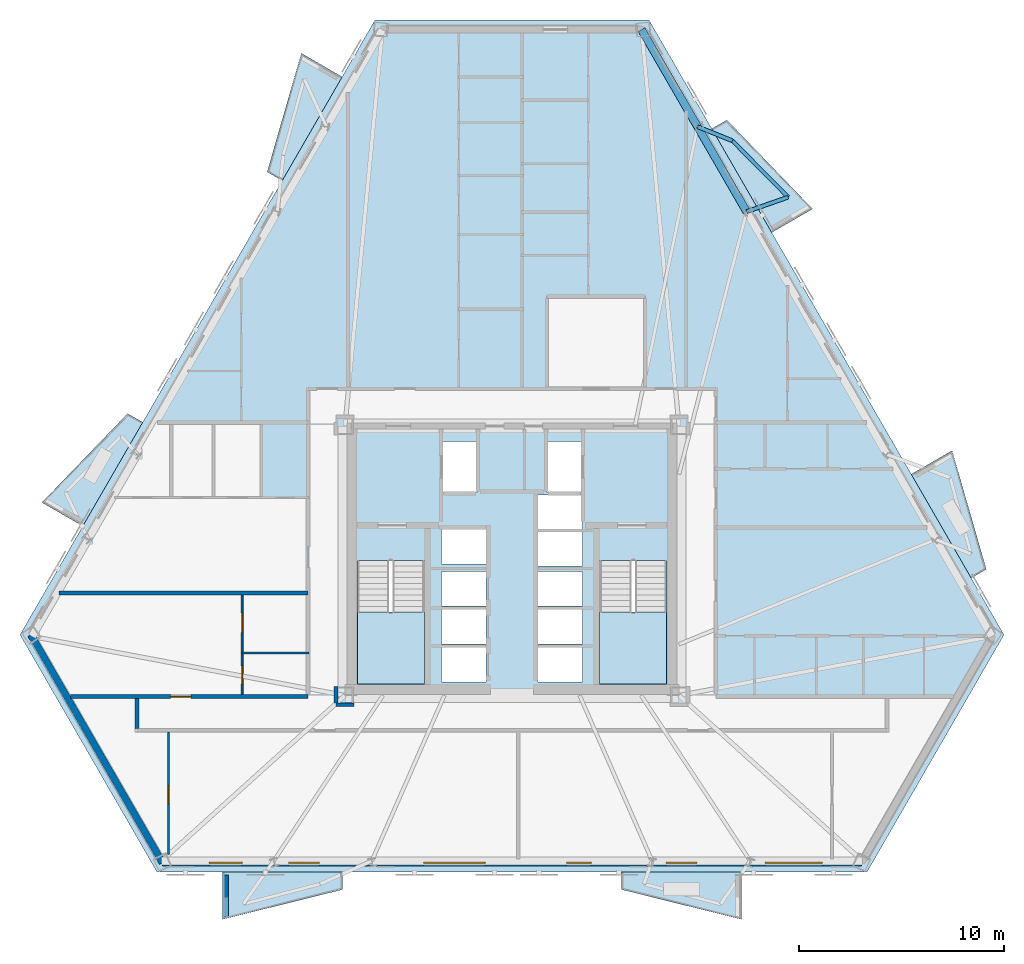
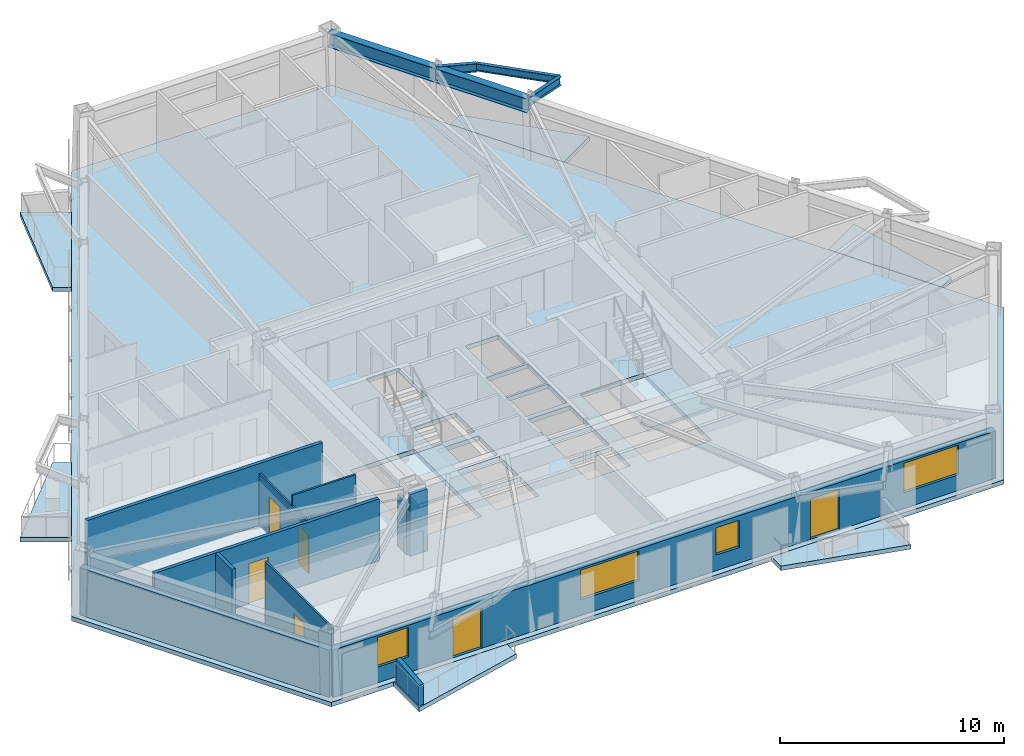
# One storey, part 2 of 11: 11 walls, 9 slabs, 6 doors, 5 beams, 4 windows, 10 openings, 2 elements without a shape of their own.
"""IFC4 building model written with IfcOpenShell, lengths in metres."""

from ifc_helpers import new_model, si_unit, direction, frame, frame_2d, origin, origin_2d, place, context, subcontext, project, spatial, polyline, rectangle, i_section, outline, extrude, material, layer, layer_set, material_profile, profile_set, type_object, element, fill, aggregate, save


model = new_model("IFC4")

# Units and contexts
model_context = context("Model", 3, precision=1e-05, world=origin(), true_north=direction((0.0, 1.0)))
body_context = subcontext(model_context, "Body", "Model", "MODEL_VIEW")
ifc_project = project(units=[si_unit("LENGTHUNIT", "METRE"), si_unit("AREAUNIT", "SQUARE_METRE"), si_unit("VOLUMEUNIT", "CUBIC_METRE"), si_unit("PLANEANGLEUNIT", "RADIAN"), si_unit("MASSUNIT", "GRAM", prefix="KILO")], contexts=[model_context])

# Site, building, storey
site_placement = place(None, origin())
site = spatial("IfcSite", under=ifc_project, at=site_placement, CompositionType="ELEMENT")
building_placement = place(site_placement, origin())
building = spatial("IfcBuilding", under=site, at=building_placement, Name="Oramaril Tower", CompositionType="ELEMENT")
storey_placement = place(building_placement, frame((0.0, 0.0, 82.5)))
storey = spatial("IfcBuildingStorey", under=building, at=storey_placement, Name="L21", CompositionType="ELEMENT", Elevation=82.5)

# Beams
ifc_material_1 = material(Name="Steel ASTM A572 Gr 50", Category="steel")
ifc_material_profile_1 = material_profile(ifc_material_1, i_section(OverallWidth=0.19091796875, OverallDepth=0.45703125, WebThickness=0.009033203125, FlangeThickness=0.014404296875, at=origin_2d()), Name="W18X50")
ifc_profile_set_1 = profile_set([ifc_material_profile_1], Name="Steel ASTM A572 Gr 50")
beam_type_1 = type_object("IfcBeamType", Name="BT-BB1", PredefinedType="BEAM", material=ifc_profile_set_1)
beam_1_placement = place(storey_placement, frame((48.9501953125, 34.607177734375, 3.131591796875), z_axis=(0.943890288042, 0.330259177224, 0.0), x_axis=(-0.330259177224, 0.943890288042, 0.0)))
element("IfcBeam", 1, at=beam_1_placement, inside=storey, type_object=beam_type_1, Name="L21 Balcony Column-Framed Cantilever 04.1", PredefinedType="BEAM", context=body_context, shape_type="SweptSolid", body=[
    extrude(i_section(OverallWidth=0.19091796875, OverallDepth=0.45703125, WebThickness=0.009033203125, FlangeThickness=0.014404296875, at=origin_2d()), origin(), (0.0, 0.0, 1.0), 2.145263671875),
])
beam_2_placement = place(storey_placement, frame((46.556640625, 38.752685546875, 3.131591796875), z_axis=(0.927442964174, -0.373964634965, 0.0), x_axis=(0.373964634965, 0.927442964174, 0.0)))
element("IfcBeam", 2, at=beam_2_placement, inside=storey, type_object=beam_type_1, Name="L21 Balcony Column-Framed Cantilever 04.2", PredefinedType="BEAM", context=body_context, shape_type="SweptSolid", body=[
    extrude(i_section(OverallWidth=0.19091796875, OverallDepth=0.45703125, WebThickness=0.009033203125, FlangeThickness=0.014404296875, at=origin_2d()), origin(), (0.0, 0.0, 1.0), 1.83056640625),
])
ifc_material_2 = material(Name="Steel ASTM A572 Gr 50", Category="steel")
ifc_material_profile_2 = material_profile(ifc_material_2, i_section(OverallWidth=0.177978515625, OverallDepth=0.404052734375, WebThickness=0.007568359375, FlangeThickness=0.010986328125, at=origin_2d()), Name="W16X36")
ifc_profile_set_2 = profile_set([ifc_material_profile_2], Name="Steel ASTM A572 Gr 50")
beam_type_2 = type_object("IfcBeamType", Name="BT-SB1", PredefinedType="BEAM", material=ifc_profile_set_2)
beam_3_placement = place(storey_placement, frame((50.97509765625, 35.315673828125, 3.157958984375), z_axis=(-0.702994511648, 0.71119527318, 0.0), x_axis=(-0.71119527318, -0.702994511648, 0.0)))
element("IfcBeam", 3, at=beam_3_placement, inside=storey, type_object=beam_type_2, Name="L21 Balcony Edge Tie Beam 04", PredefinedType="BEAM", context=body_context, shape_type="SweptSolid", body=[
    extrude(i_section(OverallWidth=0.177978515625, OverallDepth=0.404052734375, WebThickness=0.007568359375, FlangeThickness=0.010986328125, at=origin_2d()), origin(), (0.0, 0.0, 1.0), 3.8701171875),
])
ifc_material_3 = material(Name="Steel ASTM A572 Gr 50", Category="steel")
ifc_material_profile_3 = material_profile(ifc_material_3, i_section(OverallWidth=0.381103515625, OverallDepth=0.77197265625, WebThickness=0.0166015625, FlangeThickness=0.027099609375, at=origin_2d()), Name="W30X173")
ifc_profile_set_3 = profile_set([ifc_material_profile_3], Name="Steel ASTM A572 Gr 50")
beam_type_3 = type_object("IfcBeamType", Name="BT-SP2", PredefinedType="SPANDREL", material=ifc_profile_set_3)
beam_4_placement = place(storey_placement, frame((48.9501953125, 34.607177734375, 2.97412109375), z_axis=(-0.50002266109, 0.866012320003, 0.0), x_axis=(-0.866012320003, -0.50002266109, 0.0)))
element("IfcBeam", 4, at=beam_4_placement, inside=storey, type_object=beam_type_3, Name="L21 Perimeter Spandrel 11", PredefinedType="SPANDREL", context=body_context, shape_type="SweptSolid", body=[
    extrude(i_section(OverallWidth=0.381103515625, OverallDepth=0.77197265625, WebThickness=0.0166015625, FlangeThickness=0.027099609375, at=origin_2d()), origin(), (0.0, 0.0, 1.0), 4.786865234375),
])
beam_5_placement = place(storey_placement, frame((46.556640625, 38.752685546875, 2.97412109375), z_axis=(-0.499998014425, 0.866026550154, 0.0), x_axis=(-0.866026550154, -0.499998014425, 0.0)))
element("IfcBeam", 5, at=beam_5_placement, inside=storey, type_object=beam_type_3, Name="L21 Perimeter Spandrel 12", PredefinedType="SPANDREL", context=body_context, shape_type="SweptSolid", body=[
    extrude(i_section(OverallWidth=0.381103515625, OverallDepth=0.77197265625, WebThickness=0.0166015625, FlangeThickness=0.027099609375, at=origin_2d()), origin(), (0.0, 0.0, 1.0), 5.470703125),
])

# Slabs
ifc_material_4 = material(Name="Concrete C40/50", Category="concrete")
ifc_layer_1 = layer(ifc_material_4, 0.199951171875)
ifc_layer_set_1 = layer_set([ifc_layer_1], Name="SLT-BAL20")
slab_type_1 = type_object("IfcSlabType", Name="SLT-BAL20", PredefinedType="FLOOR", material=ifc_layer_set_1)
slab_1_placement = place(storey_placement, frame((0.0, 0.0, -0.239990234375)))
element("IfcSlab", 6, at=slab_1_placement, inside=storey, type_object=slab_type_1, Name="L21 Cantilevered Balcony Slab L21-BAL-S1", PredefinedType="FLOOR", context=body_context, shape_type="SweptSolid", body=[
    extrude(outline(polyline([(23.380126953125, 2.381103515625), (29.230224609375, 2.381103515625), (29.230224609375, 1.529296875), (23.380126953125, 0.0791015625), (23.380126953125, 2.381103515625)])), origin(), (0.0, 0.0, 1.0), 0.239990234375),
])
slab_2_placement = place(storey_placement, frame((0.0, 0.0, -0.239990234375)))
element("IfcSlab", 7, at=slab_2_placement, inside=storey, type_object=slab_type_1, Name="L21 Cantilevered Balcony Slab L21-BAL-NE2", PredefinedType="FLOOR", context=body_context, shape_type="SweptSolid", body=[
    extrude(outline(polyline([(50.172607421875, 33.588134765625), (47.24755859375, 38.654296875), (47.9853515625, 39.080322265625), (52.166015625, 34.739013671875), (50.172607421875, 33.588134765625)])), origin(), (0.0, 0.0, 1.0), 0.239990234375),
])
slab_3_placement = place(storey_placement, frame((0.0, 0.0, -0.239990234375)))
element("IfcSlab", 8, at=slab_3_placement, inside=storey, type_object=slab_type_1, Name="L21 Cantilevered Balcony Slab L21-BAL-NW1", PredefinedType="FLOOR", context=body_context, shape_type="SweptSolid", body=[
    extrude(outline(polyline([(29.215087890625, 41.1875), (26.2900390625, 36.12109375), (25.55224609375, 36.547119140625), (27.221435546875, 42.33837890625), (29.215087890625, 41.1875)])), origin(), (0.0, 0.0, 1.0), 0.239990234375),
])
ifc_material_5 = material(Name="Concrete C50/60", Category="concrete")
ifc_layer_2 = layer(ifc_material_5, 0.239990234375)
ifc_layer_set_2 = layer_set([ifc_layer_2], Name="SLT-FLR24")
slab_type_2 = type_object("IfcSlabType", Name="SLT-FLR24", PredefinedType="FLOOR", material=ifc_layer_set_2)
slab_4_placement = place(storey_placement, frame((0.0, 0.0, -0.239990234375)))
element("IfcSlab", 9, at=slab_4_placement, inside=storey, type_object=slab_type_2, Name="L21 Structural Floor Slab", PredefinedType="FLOOR", context=body_context, shape_type="SweptSolid", body=[
    extrude(outline(polyline([(13.493408203125, 13.9609375), (20.18017578125, 2.379150390625), (54.81982421875, 2.379150390625), (61.506591796875, 13.9609375), (44.186767578125, 43.959716796875), (30.813232421875, 43.959716796875), (13.493408203125, 13.9609375)]), holes=[polyline([(29.949951171875, 17.58935546875), (29.949951171875, 11.550048828125), (33.219970703125, 11.550048828125), (33.219970703125, 17.58935546875), (29.949951171875, 17.58935546875)]), polyline([(41.780029296875, 17.58935546875), (41.780029296875, 11.550048828125), (45.050048828125, 11.550048828125), (45.050048828125, 17.58935546875), (41.780029296875, 17.58935546875)]), polyline([(34.110107421875, 20.909912109375), (35.7900390625, 20.909912109375), (35.7900390625, 23.389892578125), (34.110107421875, 23.389892578125), (34.110107421875, 20.909912109375)]), polyline([(39.2099609375, 20.909912109375), (40.889892578125, 20.909912109375), (40.889892578125, 23.389892578125), (39.2099609375, 23.389892578125), (39.2099609375, 20.909912109375)]), polyline([(34.06005859375, 11.659912109375), (36.239990234375, 11.659912109375), (36.239990234375, 13.340087890625), (34.06005859375, 13.340087890625), (34.06005859375, 11.659912109375)]), polyline([(34.06005859375, 13.510009765625), (36.239990234375, 13.510009765625), (36.239990234375, 15.18994140625), (34.06005859375, 15.18994140625), (34.06005859375, 13.510009765625)]), polyline([(34.06005859375, 15.360107421875), (36.239990234375, 15.360107421875), (36.239990234375, 17.0400390625), (34.06005859375, 17.0400390625), (34.06005859375, 15.360107421875)]), polyline([(38.760009765625, 11.659912109375), (40.93994140625, 11.659912109375), (40.93994140625, 13.340087890625), (38.760009765625, 13.340087890625), (38.760009765625, 11.659912109375)]), polyline([(38.760009765625, 13.510009765625), (40.93994140625, 13.510009765625), (40.93994140625, 15.18994140625), (38.760009765625, 15.18994140625), (38.760009765625, 13.510009765625)]), polyline([(38.760009765625, 15.360107421875), (40.93994140625, 15.360107421875), (40.93994140625, 17.0400390625), (38.760009765625, 17.0400390625), (38.760009765625, 15.360107421875)]), polyline([(34.06005859375, 17.409912109375), (36.239990234375, 17.409912109375), (36.239990234375, 19.090087890625), (34.06005859375, 19.090087890625), (34.06005859375, 17.409912109375)]), polyline([(38.760009765625, 17.31005859375), (40.93994140625, 17.31005859375), (40.93994140625, 18.989990234375), (38.760009765625, 18.989990234375), (38.760009765625, 17.31005859375)]), polyline([(38.760009765625, 19.110107421875), (40.93994140625, 19.110107421875), (40.93994140625, 20.7900390625), (38.760009765625, 20.7900390625), (38.760009765625, 19.110107421875)])]), origin(), (0.0, 0.0, 1.0), 0.239990234375),
])

# Stair, slab
ifc_material_6 = material(Name="Concrete C50/60", Category="concrete")
stair_type = type_object("IfcStairType", Name="STT-DG-3600", PredefinedType="HALF_TURN_STAIR", material=ifc_material_6)
stair_1_placement = place(storey_placement, origin())
stair_1 = element("IfcStair", 10, at=stair_1_placement, inside=storey, type_object=stair_type, Name="L21 Protected PFP Exit Stair ST-1", PredefinedType="HALF_TURN_STAIR")
ifc_material_7 = material(Name="Concrete C50/60", Category="concrete")
ifc_layer_3 = layer(ifc_material_7, 0.199951171875)
ifc_layer_set_3 = layer_set([ifc_layer_3], Name="SLT-LND20")
slab_type_3 = type_object("IfcSlabType", Name="SLT-LND20", PredefinedType="LANDING", material=ifc_layer_set_3)
slab_5_placement = place(storey_placement, frame((0.0, 0.0, 1.60009765625)))
slab_5 = element("IfcSlab", 11, at=slab_5_placement, type_object=slab_type_3, Name="ST-1 landing 1", PredefinedType="LANDING", context=body_context, shape_type="SweptSolid", body=[
    extrude(outline(polyline([(29.949951171875, 15.070068359375), (29.949951171875, 11.550048828125), (33.219970703125, 11.550048828125), (33.219970703125, 15.070068359375), (29.949951171875, 15.070068359375)])), origin(), (0.0, 0.0, 1.0), 0.199951171875),
])
aggregate(stair_1, [slab_5])

stair_2_placement = place(storey_placement, origin())
stair_2 = element("IfcStair", 12, at=stair_2_placement, inside=storey, type_object=stair_type, Name="L21 Protected PFP Exit Stair ST-2", PredefinedType="HALF_TURN_STAIR")
slab_6_placement = place(storey_placement, frame((0.0, 0.0, 1.60009765625)))
slab_6 = element("IfcSlab", 13, at=slab_6_placement, type_object=slab_type_3, Name="ST-2 landing 1", PredefinedType="LANDING", context=body_context, shape_type="SweptSolid", body=[
    extrude(outline(polyline([(41.780029296875, 15.070068359375), (41.780029296875, 11.550048828125), (45.050048828125, 11.550048828125), (45.050048828125, 15.070068359375), (41.780029296875, 15.070068359375)])), origin(), (0.0, 0.0, 1.0), 0.199951171875),
])
aggregate(stair_2, [slab_6])

# Slabs
ifc_material_8 = material(Name="Concrete C40/50", Category="concrete")
ifc_layer_4 = layer(ifc_material_8, 0.18994140625)
ifc_layer_set_4 = layer_set([ifc_layer_4], Name="SLT-PLN19")
slab_type_4 = type_object("IfcSlabType", Name="SLT-PLN19", PredefinedType="FLOOR", material=ifc_layer_set_4)
slab_7_placement = place(storey_placement, frame((0.0, 0.0, -0.239990234375)))
element("IfcSlab", 14, at=slab_7_placement, inside=storey, type_object=slab_type_4, Name="L21 Tree Planter Balcony Slab L21-BAL-S2", PredefinedType="FLOOR", context=body_context, shape_type="SweptSolid", body=[
    extrude(outline(polyline([(42.8447265625, 2.381103515625), (48.69482421875, 2.381103515625), (48.69482421875, 0.0791015625), (42.8447265625, 1.529296875), (42.8447265625, 2.381103515625)])), origin(), (0.0, 0.0, 1.0), 0.239990234375),
])
slab_8_placement = place(storey_placement, frame((0.0, 0.0, -0.239990234375)))
element("IfcSlab", 15, at=slab_8_placement, inside=storey, type_object=slab_type_4, Name="L21 Tree Planter Balcony Slab L21-BAL-NE1", PredefinedType="FLOOR", context=body_context, shape_type="SweptSolid", body=[
    extrude(outline(polyline([(59.90478515625, 16.731201171875), (56.979736328125, 21.797607421875), (58.973388671875, 22.948486328125), (60.642578125, 17.1572265625), (59.90478515625, 16.731201171875)])), origin(), (0.0, 0.0, 1.0), 0.239990234375),
])
slab_9_placement = place(storey_placement, frame((0.0, 0.0, -0.239990234375)))
element("IfcSlab", 16, at=slab_9_placement, inside=storey, type_object=slab_type_4, Name="L21 Tree Planter Balcony Slab L21-BAL-NW2", PredefinedType="FLOOR", context=body_context, shape_type="SweptSolid", body=[
    extrude(outline(polyline([(19.482666015625, 24.33056640625), (16.5576171875, 19.264404296875), (14.564208984375, 20.415283203125), (18.744873046875, 24.756591796875), (19.482666015625, 24.33056640625)])), origin(), (0.0, 0.0, 1.0), 0.239990234375),
])

# Wall
ifc_material_9 = material(Name="Warm Cream Limestone", Category="masonry")
ifc_layer_5 = layer(ifc_material_9, 0.340087890625)
ifc_layer_set_5 = layer_set([ifc_layer_5], Name="WT-EXT34")
wall_type_1 = type_object("IfcWallType", Name="WT-EXT34", PredefinedType="SOLIDWALL", material=ifc_layer_set_5)
wall_1_placement = place(storey_placement, frame((14.024658203125, 13.9609375, 0.0), z_axis=(0.0, 0.0, 1.0), x_axis=(0.499997269419, -0.866026980281, 0.0)))
element("IfcWall", 17, at=wall_1_placement, inside=storey, type_object=wall_type_1, Name="L21 Tower Limestone Facade Wall 1M", PredefinedType="SOLIDWALL", context=body_context, shape_type="SweptSolid", body=[
    extrude(rectangle(XDim=12.84228515625, YDim=0.340087890625, at=frame_2d((6.421142578125, 0.0))), origin(), (0.0, 0.0, 1.0), 2.577880859375),
])

# Wall, openings, doors, windows
wall_2_placement = place(storey_placement, frame((20.44580078125, 2.839111328125, 0.0), z_axis=(0.0, 0.0, 1.0), x_axis=(1.0, 0.0, 0.0)))
wall_2 = element("IfcWall", 18, at=wall_2_placement, inside=storey, type_object=wall_type_1, Name="L21 Tower Limestone Facade Wall 2M", PredefinedType="SOLIDWALL", context=body_context, shape_type="SweptSolid", body=[
    extrude(rectangle(XDim=34.1083984375, YDim=0.340087890625, at=frame_2d((17.05419921875, 0.0))), origin(), (0.0, 0.0, 1.0), 2.577880859375),
])
opening_1_placement = place(wall_2_placement, frame((6.159423828125, 0.0, 0.0)))
opening_1 = element("IfcOpeningElement", 19, at=opening_1_placement, cuts=wall_2, Name="Opening D-L21-BAL-S1", PredefinedType="OPENING", context=body_context, shape_type="SweptSolid", body=[
    extrude(rectangle(XDim=1.5, YDim=2.199951171875, at=frame_2d((0.75, 1.10009765625))), frame((0.0, 0.169921875, 0.0), z_axis=(0.0, -1.0, 0.0), x_axis=(1.0, 0.0, 0.0)), (0.0, 0.0, 1.0), 0.340087890625),
])
opening_2_placement = place(wall_2_placement, frame((24.573974609375, 0.0, 0.0)))
opening_2 = element("IfcOpeningElement", 20, at=opening_2_placement, cuts=wall_2, Name="Opening D-L21-BAL-S2", PredefinedType="OPENING", context=body_context, shape_type="SweptSolid", body=[
    extrude(rectangle(XDim=1.5, YDim=2.199951171875, at=frame_2d((0.75, 1.10009765625))), frame((0.0, 0.169921875, 0.0), z_axis=(0.0, -1.0, 0.0), x_axis=(1.0, 0.0, 0.0)), (0.0, 0.0, 1.0), 0.340087890625),
])
opening_3_placement = place(wall_2_placement, frame((2.281982421875, 0.0, 0.85009765625)))
opening_3 = element("IfcOpeningElement", 21, at=opening_3_placement, cuts=wall_2, Name="Opening WN-07", PredefinedType="OPENING", context=body_context, shape_type="SweptSolid", body=[
    extrude(rectangle(XDim=1.60009765625, YDim=1.617919921875, at=frame_2d((0.800048828125, 0.80908203125))), frame((0.0, 0.169921875, 0.0), z_axis=(0.0, -1.0, 0.0), x_axis=(1.0, 0.0, 0.0)), (0.0, 0.0, 1.0), 0.340087890625),
])
opening_4_placement = place(wall_2_placement, frame((12.7421875, 0.0, 0.85009765625)))
opening_4 = element("IfcOpeningElement", 22, at=opening_4_placement, cuts=wall_2, Name="Opening WN-10", PredefinedType="OPENING", context=body_context, shape_type="SweptSolid", body=[
    extrude(rectangle(XDim=3.0, YDim=1.617919921875, at=frame_2d((1.5, 0.80908203125))), frame((0.0, 0.169921875, 0.0), z_axis=(0.0, -1.0, 0.0), x_axis=(1.0, 0.0, 0.0)), (0.0, 0.0, 1.0), 0.340087890625),
])
opening_5_placement = place(wall_2_placement, frame((19.71630859375, 0.0, 0.85009765625)))
opening_5 = element("IfcOpeningElement", 23, at=opening_5_placement, cuts=wall_2, Name="Opening WN-09", PredefinedType="OPENING", context=body_context, shape_type="SweptSolid", body=[
    extrude(rectangle(XDim=1.199951171875, YDim=1.47998046875, at=frame_2d((0.60009765625, 0.739990234375))), frame((0.0, 0.169921875, 0.0), z_axis=(0.0, -1.0, 0.0), x_axis=(1.0, 0.0, 0.0)), (0.0, 0.0, 1.0), 0.340087890625),
])
opening_6_placement = place(wall_2_placement, frame((29.4013671875, 0.0, 0.85009765625)))
opening_6 = element("IfcOpeningElement", 24, at=opening_6_placement, cuts=wall_2, Name="Opening WN-01", PredefinedType="OPENING", context=body_context, shape_type="SweptSolid", body=[
    extrude(rectangle(XDim=2.800048828125, YDim=1.617919921875, at=frame_2d((1.39990234375, 0.80908203125))), frame((0.0, 0.169921875, 0.0), z_axis=(0.0, -1.0, 0.0), x_axis=(1.0, 0.0, 0.0)), (0.0, 0.0, 1.0), 0.340087890625),
])
ifc_material_10 = material(Name="Anodised Aluminium 6063-T6", Category="aluminium")
door_type_1 = type_object("IfcDoorType", Name="DT-BAL", OperationType="NOTDEFINED", PredefinedType="DOOR", material=ifc_material_10)
door_1_placement = place(opening_1_placement, origin())
door_1 = element("IfcDoor", 25, at=door_1_placement, inside=storey, type_object=door_type_1, Name="L21 Balcony Glazed Door L21-BAL-S1", OperationType="SINGLE_SWING_RIGHT", OverallHeight=2.199951171875, OverallWidth=1.5, PredefinedType="DOOR", context=body_context, shape_type="SweptSolid", body=[
    extrude(rectangle(XDim=1.5, YDim=2.199951171875, at=frame_2d((0.75, 1.10009765625))), frame((0.0, 0.02490234375, 0.0), z_axis=(0.0, -1.0, 0.0), x_axis=(1.0, 0.0, 0.0)), (0.0, 0.0, 1.0), 0.050048828125),
])
fill(opening_1, door_1)
door_2_placement = place(opening_2_placement, origin())
door_2 = element("IfcDoor", 26, at=door_2_placement, inside=storey, type_object=door_type_1, Name="L21 Balcony Glazed Door L21-BAL-S2", OperationType="SINGLE_SWING_LEFT", OverallHeight=2.199951171875, OverallWidth=1.5, PredefinedType="DOOR", context=body_context, shape_type="SweptSolid", body=[
    extrude(rectangle(XDim=1.5, YDim=2.199951171875, at=frame_2d((0.75, 1.10009765625))), frame((0.0, 0.02490234375, 0.0), z_axis=(0.0, -1.0, 0.0), x_axis=(1.0, 0.0, 0.0)), (0.0, 0.0, 1.0), 0.050048828125),
])
fill(opening_2, door_2)
ifc_material_11 = material(Name="Coastal Low-E Insulated Glass", Category="glass")
window_type_1 = type_object("IfcWindowType", Name="WNT-01", PartitioningType="SINGLE_PANEL", PredefinedType="WINDOW", material=ifc_material_11)
window_1_placement = place(opening_6_placement, origin())
window_1 = element("IfcWindow", 27, at=window_1_placement, inside=storey, type_object=window_type_1, Name="L21 Chicago Bay Window WN-01", OverallHeight=1.617919921875, OverallWidth=2.800048828125, PartitioningType="SINGLE_PANEL", PredefinedType="WINDOW", context=body_context, shape_type="SweptSolid", body=[
    extrude(rectangle(XDim=2.800048828125, YDim=1.617919921875, at=frame_2d((1.39990234375, 0.80908203125))), frame((0.0, 0.030029296875, 0.0), z_axis=(0.0, -1.0, 0.0), x_axis=(1.0, 0.0, 0.0)), (0.0, 0.0, 1.0), 0.06005859375),
])
fill(opening_6, window_1)
ifc_material_12 = material(Name="Coastal Low-E Insulated Glass", Category="glass")
window_type_2 = type_object("IfcWindowType", Name="WNT-07", PartitioningType="SINGLE_PANEL", PredefinedType="WINDOW", material=ifc_material_12)
window_2_placement = place(opening_3_placement, origin())
window_2 = element("IfcWindow", 28, at=window_2_placement, inside=storey, type_object=window_type_2, Name="L21 Chicago Bay Window WN-07", OverallHeight=1.617919921875, OverallWidth=1.60009765625, PartitioningType="SINGLE_PANEL", PredefinedType="WINDOW", context=body_context, shape_type="SweptSolid", body=[
    extrude(rectangle(XDim=1.60009765625, YDim=1.617919921875, at=frame_2d((0.800048828125, 0.80908203125))), frame((0.0, 0.030029296875, 0.0), z_axis=(0.0, -1.0, 0.0), x_axis=(1.0, 0.0, 0.0)), (0.0, 0.0, 1.0), 0.06005859375),
])
fill(opening_3, window_2)
ifc_material_13 = material(Name="Coastal Low-E Insulated Glass", Category="glass")
window_type_3 = type_object("IfcWindowType", Name="WNT-09", PartitioningType="SINGLE_PANEL", PredefinedType="WINDOW", material=ifc_material_13)
window_3_placement = place(opening_5_placement, origin())
window_3 = element("IfcWindow", 29, at=window_3_placement, inside=storey, type_object=window_type_3, Name="L21 Chicago Bay Window WN-09", OverallHeight=1.47998046875, OverallWidth=1.199951171875, PartitioningType="SINGLE_PANEL", PredefinedType="WINDOW", context=body_context, shape_type="SweptSolid", body=[
    extrude(rectangle(XDim=1.199951171875, YDim=1.47998046875, at=frame_2d((0.60009765625, 0.739990234375))), frame((0.0, 0.030029296875, 0.0), z_axis=(0.0, -1.0, 0.0), x_axis=(1.0, 0.0, 0.0)), (0.0, 0.0, 1.0), 0.06005859375),
])
fill(opening_5, window_3)
ifc_material_14 = material(Name="Coastal Low-E Insulated Glass", Category="glass")
window_type_4 = type_object("IfcWindowType", Name="WNT-10", PartitioningType="SINGLE_PANEL", PredefinedType="WINDOW", material=ifc_material_14)
window_4_placement = place(opening_4_placement, origin())
window_4 = element("IfcWindow", 30, at=window_4_placement, inside=storey, type_object=window_type_4, Name="L21 Chicago Bay Window WN-10", OverallHeight=1.617919921875, OverallWidth=3.0, PartitioningType="SINGLE_PANEL", PredefinedType="WINDOW", context=body_context, shape_type="SweptSolid", body=[
    extrude(rectangle(XDim=3.0, YDim=1.617919921875, at=frame_2d((1.5, 0.80908203125))), frame((0.0, 0.030029296875, 0.0), z_axis=(0.0, -1.0, 0.0), x_axis=(1.0, 0.0, 0.0)), (0.0, 0.0, 1.0), 0.06005859375),
])
fill(opening_4, window_4)

# Walls
ifc_material_15 = material(Name="Concrete C40/50", Category="concrete")
ifc_layer_6 = layer(ifc_material_15, 0.22998046875)
ifc_layer_set_6 = layer_set([ifc_layer_6], Name="WT-PRP23")
wall_type_2 = type_object("IfcWallType", Name="WT-PRP23", PredefinedType="PARAPET", material=ifc_layer_set_6)
wall_3_placement = place(storey_placement, frame((23.560302734375, 2.2412109375, 0.0), z_axis=(0.0, 0.0, 1.0), x_axis=(0.0, -1.0, 0.0)))
element("IfcWall", 31, at=wall_3_placement, inside=storey, type_object=wall_type_2, Name="L21 Trapezoidal Balcony Frame Cheek L21-BAL-S1-L", PredefinedType="PARAPET", context=body_context, shape_type="SweptSolid", body=[
    extrude(outline(polyline([(0.0, 0.0), (2.0419921875, 0.0), (2.0419921875, 1.10009765625), (0.0, 1.320068359375), (0.0, 0.0)])), frame((0.0, 0.114990234375, 0.0), z_axis=(0.0, -1.0, 0.0), x_axis=(1.0, 0.0, 0.0)), (0.0, 0.0, 1.0), 0.22998046875),
])
ifc_material_16 = material(Name="Acoustic Gypsum Board Partition")
ifc_layer_7 = layer(ifc_material_16, 0.10009765625)
ifc_layer_set_7 = layer_set([ifc_layer_7], Name="WT-PT10")
wall_type_3 = type_object("IfcWallType", Name="WT-PT10", PredefinedType="PARTITIONING", material=ifc_layer_set_7)
wall_4_placement = place(storey_placement, frame((24.330078125, 13.070068359375, 0.0), z_axis=(0.0, 0.0, 1.0), x_axis=(1.0, 0.0, 0.0)))
element("IfcWall", 32, at=wall_4_placement, inside=storey, type_object=wall_type_3, Name="L21 Interior Partition PT-10", PredefinedType="PARTITIONING", context=body_context, shape_type="SweptSolid", body=[
    extrude(rectangle(XDim=3.27001953125, YDim=0.10009765625, at=frame_2d((1.635009765625, 0.0))), origin(), (0.0, 0.0, 1.0), 3.360107421875),
])

# Wall, opening, door
wall_5_placement = place(storey_placement, frame((20.75, 3.249755859375, 0.0), z_axis=(0.0, 0.0, 1.0), x_axis=(0.0, 1.0, 0.0)))
wall_5 = element("IfcWall", 33, at=wall_5_placement, inside=storey, type_object=wall_type_3, Name="L21 Interior Partition PT-10", PredefinedType="PARTITIONING", context=body_context, shape_type="SweptSolid", body=[
    extrude(rectangle(XDim=5.956298828125, YDim=0.10009765625, at=frame_2d((2.97802734375, 0.0))), origin(), (0.0, 0.0, 1.0), 3.360107421875),
])
opening_7_placement = place(wall_5_placement, frame((2.454833984375, 0.0, 0.0)))
opening_7 = element("IfcOpeningElement", 34, at=opening_7_placement, cuts=wall_5, Name="Opening D-L21-20", PredefinedType="OPENING", context=body_context, shape_type="SweptSolid", body=[
    extrude(rectangle(XDim=0.8798828125, YDim=2.080078125, at=frame_2d((0.43994140625, 1.0400390625))), frame((0.0, 0.050048828125, 0.0), z_axis=(0.0, -1.0, 0.0), x_axis=(1.0, 0.0, 0.0)), (0.0, 0.0, 1.0), 0.10009765625),
])
ifc_material_17 = material(Name="FSC Brazilian Freijo Hardwood", Category="wood")
door_type_2 = type_object("IfcDoorType", Name="DT-BATH", OperationType="NOTDEFINED", PredefinedType="DOOR", material=ifc_material_17)
door_3_placement = place(opening_7_placement, origin())
door_3 = element("IfcDoor", 35, at=door_3_placement, inside=storey, type_object=door_type_2, Name="L21 Flat L21-U1 Bathroom Door D-L21-20", OperationType="SINGLE_SWING_RIGHT", OverallHeight=2.080078125, OverallWidth=0.8798828125, PredefinedType="DOOR", context=body_context, shape_type="SweptSolid", body=[
    extrude(rectangle(XDim=0.8798828125, YDim=2.080078125, at=frame_2d((0.43994140625, 1.0400390625))), frame((0.0, 0.02490234375, 0.0), z_axis=(0.0, -1.0, 0.0), x_axis=(1.0, 0.0, 0.0)), (0.0, 0.0, 1.0), 0.050048828125),
])
fill(opening_7, door_3)

# Wall, openings, doors
wall_6_placement = place(storey_placement, frame((24.330078125, 11.0439453125, 0.0), z_axis=(0.0, 0.0, 1.0), x_axis=(0.0, 1.0, 0.0)))
wall_6 = element("IfcWall", 36, at=wall_6_placement, inside=storey, type_object=wall_type_3, Name="L21 Interior Partition PT-10", PredefinedType="PARTITIONING", context=body_context, shape_type="SweptSolid", body=[
    extrude(rectangle(XDim=4.862060546875, YDim=0.10009765625, at=frame_2d((2.43115234375, 0.0))), origin(), (0.0, 0.0, 1.0), 2.81396484375),
])
opening_8_placement = place(wall_6_placement, frame((0.5107421875, 0.0, 0.0)))
opening_8 = element("IfcOpeningElement", 37, at=opening_8_placement, cuts=wall_6, Name="Opening D-L21-23", PredefinedType="OPENING", context=body_context, shape_type="SweptSolid", body=[
    extrude(rectangle(XDim=0.8798828125, YDim=2.080078125, at=frame_2d((0.43994140625, 1.0400390625))), frame((0.0, 0.050048828125, 0.0), z_axis=(0.0, -1.0, 0.0), x_axis=(1.0, 0.0, 0.0)), (0.0, 0.0, 1.0), 0.10009765625),
])
opening_9_placement = place(wall_6_placement, frame((3.03076171875, 0.0, 0.0)))
opening_9 = element("IfcOpeningElement", 38, at=opening_9_placement, cuts=wall_6, Name="Opening D-L21-24", PredefinedType="OPENING", context=body_context, shape_type="SweptSolid", body=[
    extrude(rectangle(XDim=0.949951171875, YDim=2.10009765625, at=frame_2d((0.47509765625, 1.050048828125))), frame((0.0, 0.050048828125, 0.0), z_axis=(0.0, -1.0, 0.0), x_axis=(1.0, 0.0, 0.0)), (0.0, 0.0, 1.0), 0.10009765625),
])
door_4_placement = place(opening_8_placement, origin())
door_4 = element("IfcDoor", 39, at=door_4_placement, inside=storey, type_object=door_type_2, Name="L21 Flat L21-U3 Bathroom Door D-L21-23", OperationType="SINGLE_SWING_LEFT", OverallHeight=2.080078125, OverallWidth=0.8798828125, PredefinedType="DOOR", context=body_context, shape_type="SweptSolid", body=[
    extrude(rectangle(XDim=0.8798828125, YDim=2.080078125, at=frame_2d((0.43994140625, 1.0400390625))), frame((0.0, 0.02490234375, 0.0), z_axis=(0.0, -1.0, 0.0), x_axis=(1.0, 0.0, 0.0)), (0.0, 0.0, 1.0), 0.050048828125),
])
fill(opening_8, door_4)
ifc_material_18 = material(Name="FSC Brazilian Freijo Hardwood", Category="wood")
door_type_3 = type_object("IfcDoorType", Name="DT-STDY", OperationType="NOTDEFINED", PredefinedType="DOOR", material=ifc_material_18)
door_5_placement = place(opening_9_placement, origin())
door_5 = element("IfcDoor", 40, at=door_5_placement, inside=storey, type_object=door_type_3, Name="L21 Flat L21-U3 Kitchen Door D-L21-24", OperationType="SINGLE_SWING_RIGHT", OverallHeight=2.10009765625, OverallWidth=0.949951171875, PredefinedType="DOOR", context=body_context, shape_type="SweptSolid", body=[
    extrude(rectangle(XDim=0.949951171875, YDim=2.10009765625, at=frame_2d((0.47509765625, 1.050048828125))), frame((0.0, 0.02490234375, 0.0), z_axis=(0.0, -1.0, 0.0), x_axis=(1.0, 0.0, 0.0)), (0.0, 0.0, 1.0), 0.050048828125),
])
fill(opening_9, door_5)

# Wall
ifc_material_19 = material(Name="Autoclaved Cellular Concrete Block", Category="concrete")
ifc_layer_8 = layer(ifc_material_19, 0.179931640625)
ifc_layer_set_8 = layer_set([ifc_layer_8], Name="WT-PT18")
wall_type_4 = type_object("IfcWallType", Name="WT-PT18", PredefinedType="PARTITIONING", material=ifc_layer_set_8)
wall_7_placement = place(storey_placement, frame((28.905029296875, 10.550048828125, 0.0), z_axis=(0.0, 0.0, 1.0), x_axis=(1.0, 0.0, 0.0)))
element("IfcWall", 41, at=wall_7_placement, inside=storey, type_object=wall_type_4, Name="L21 Interior Partition PT-18", PredefinedType="PARTITIONING", context=body_context, shape_type="SweptSolid", body=[
    extrude(rectangle(XDim=0.889892578125, YDim=0.179931640625, at=frame_2d((0.44482421875, 0.0))), origin(), (0.0, 0.0, 1.0), 3.360107421875),
])

# Wall, opening, door
wall_8_placement = place(storey_placement, frame((15.964111328125, 10.949951171875, 0.0), z_axis=(0.0, 0.0, 1.0), x_axis=(1.0, 0.0, 0.0)))
wall_8 = element("IfcWall", 42, at=wall_8_placement, inside=storey, type_object=wall_type_4, Name="L21 Interior Partition PT-18", PredefinedType="PARTITIONING", context=body_context, shape_type="SweptSolid", body=[
    extrude(rectangle(XDim=11.5859375, YDim=0.179931640625, at=frame_2d((5.79296875, 0.0))), origin(), (0.0, 0.0, 1.0), 3.360107421875),
])
opening_10_placement = place(wall_8_placement, frame((4.872802734375, 0.0, 0.0)))
opening_10 = element("IfcOpeningElement", 43, at=opening_10_placement, cuts=wall_8, Name="Opening D-L21-03", PredefinedType="OPENING", context=body_context, shape_type="SweptSolid", body=[
    extrude(rectangle(XDim=1.0, YDim=2.179931640625, at=frame_2d((0.5, 1.08984375))), frame((0.0, 0.08984375, 0.0), z_axis=(0.0, -1.0, 0.0), x_axis=(1.0, 0.0, 0.0)), (0.0, 0.0, 1.0), 0.179931640625),
])
ifc_material_20 = material(Name="FSC Brazilian Freijo Hardwood", Category="wood")
door_type_4 = type_object("IfcDoorType", Name="DT-APT", OperationType="NOTDEFINED", PredefinedType="DOOR", material=ifc_material_20)
door_6_placement = place(opening_10_placement, origin())
door_6 = element("IfcDoor", 44, at=door_6_placement, inside=storey, type_object=door_type_4, Name="L21 Flat L21-U3 Studio Apartment Door D-L21-03", OperationType="SINGLE_SWING_LEFT", OverallHeight=2.179931640625, OverallWidth=1.0, PredefinedType="DOOR", context=body_context, shape_type="SweptSolid", body=[
    extrude(rectangle(XDim=1.0, YDim=2.179931640625, at=frame_2d((0.5, 1.08984375))), frame((0.0, 0.02490234375, 0.0), z_axis=(0.0, -1.0, 0.0), x_axis=(1.0, 0.0, 0.0)), (0.0, 0.0, 1.0), 0.050048828125),
])
fill(opening_10, door_6)

# Walls
wall_9_placement = place(storey_placement, frame((15.40283203125, 16.0, 0.0), z_axis=(0.0, 0.0, 1.0), x_axis=(1.0, 0.0, 0.0)))
element("IfcWall", 45, at=wall_9_placement, inside=storey, type_object=wall_type_4, Name="L21 Interior Partition PT-18", PredefinedType="PARTITIONING", context=body_context, shape_type="SweptSolid", body=[
    extrude(rectangle(XDim=12.147216796875, YDim=0.179931640625, at=frame_2d((6.07373046875, 0.0))), origin(), (0.0, 0.0, 1.0), 3.360107421875),
])
wall_10_placement = place(storey_placement, frame((19.199951171875, 9.39404296875, 0.0), z_axis=(0.0, 0.0, 1.0), x_axis=(0.0, 1.0, 0.0)))
element("IfcWall", 46, at=wall_10_placement, inside=storey, type_object=wall_type_4, Name="L21 Interior Partition PT-18", PredefinedType="PARTITIONING", context=body_context, shape_type="SweptSolid", body=[
    extrude(rectangle(XDim=1.4619140625, YDim=0.179931640625, at=frame_2d((0.73095703125, 0.0))), origin(), (0.0, 0.0, 1.0), 3.360107421875),
])
wall_11_placement = place(storey_placement, frame((28.909912109375, 10.64404296875, 0.0), z_axis=(0.0, 0.0, 1.0), x_axis=(0.0, 1.0, 0.0)))
element("IfcWall", 47, at=wall_11_placement, inside=storey, type_object=wall_type_4, Name="L21 Interior Partition PT-18", PredefinedType="PARTITIONING", context=body_context, shape_type="SweptSolid", body=[
    extrude(rectangle(XDim=0.7958984375, YDim=0.179931640625, at=frame_2d((0.39794921875, 0.0))), origin(), (0.0, 0.0, 1.0), 2.81396484375),
])

save(model, "model.ifc")
